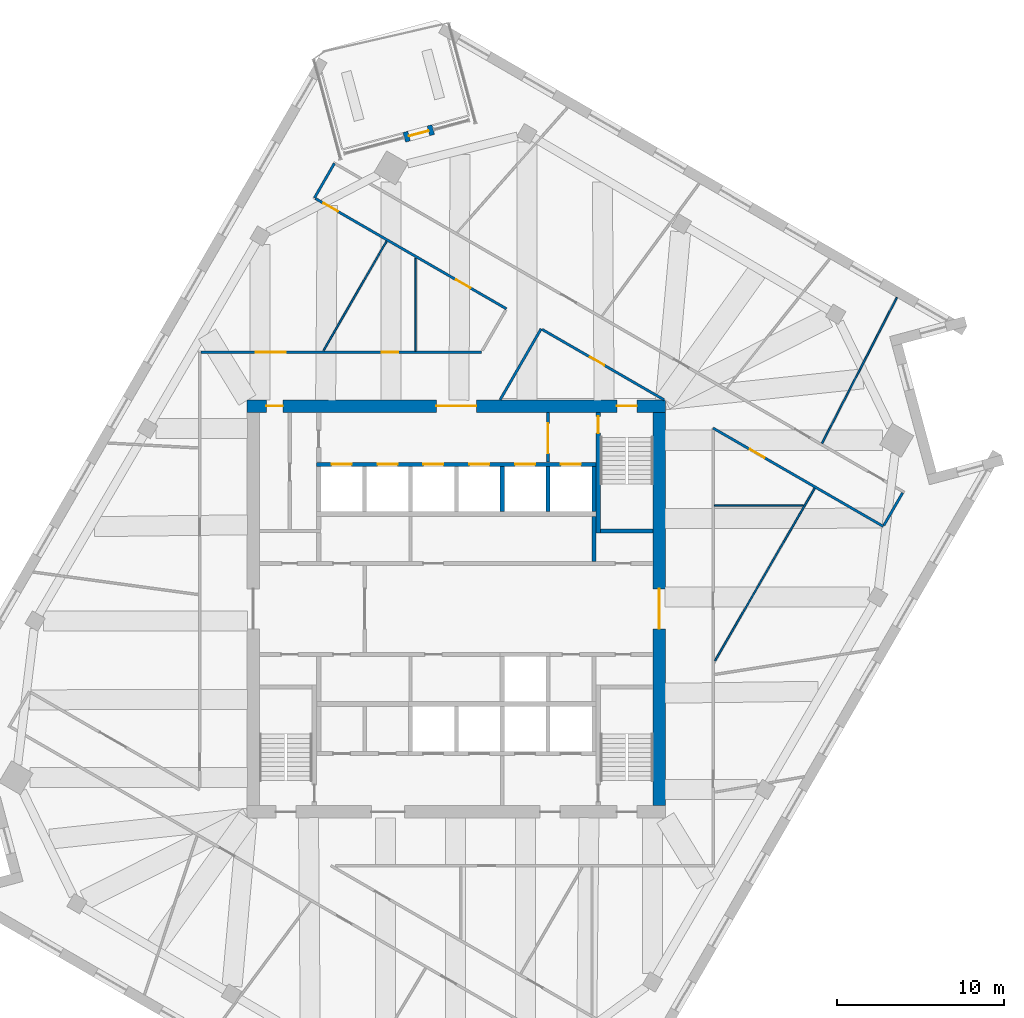
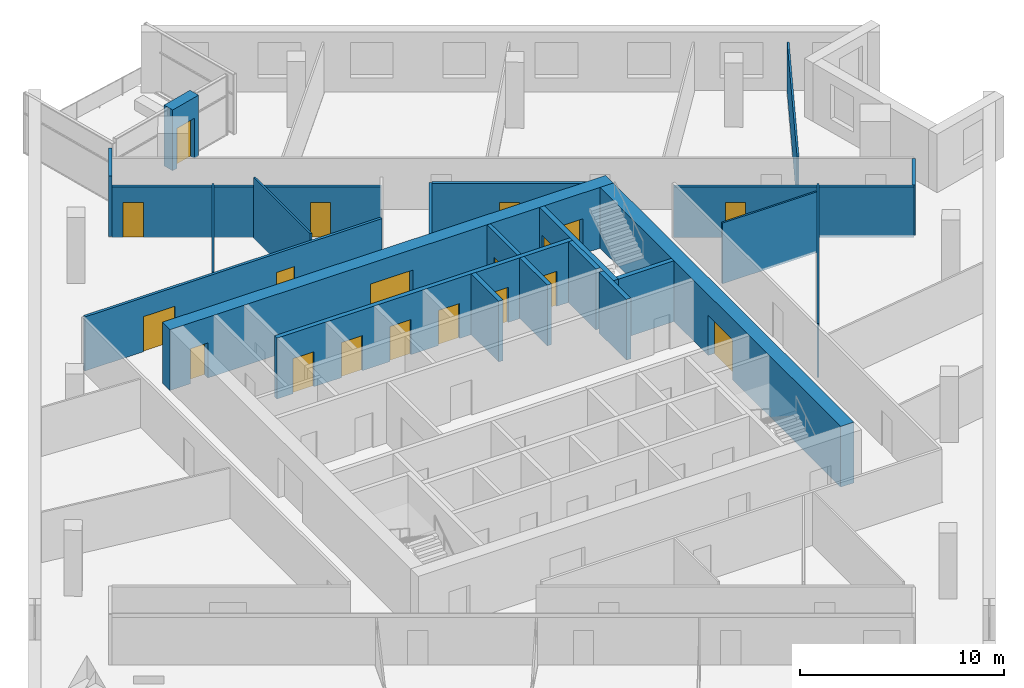
# One storey, part 10 of 13: 23 walls, 19 doors, 19 openings.
"""IFC4 building model written with IfcOpenShell, lengths in metres."""

from ifc_helpers import new_model, si_unit, direction, frame, frame_2d, origin, place, context, subcontext, project, spatial, rectangle, extrude, material, layer, layer_set, type_object, element, fill, save


model = new_model("IFC4")

# Units and contexts
model_context = context("Model", 3, precision=1e-05, world=origin(), true_north=direction((0.0, 1.0)))
body_context = subcontext(model_context, "Body", "Model", "MODEL_VIEW")
ifc_project = project(units=[si_unit("LENGTHUNIT", "METRE"), si_unit("AREAUNIT", "SQUARE_METRE"), si_unit("VOLUMEUNIT", "CUBIC_METRE"), si_unit("PLANEANGLEUNIT", "RADIAN"), si_unit("MASSUNIT", "GRAM", prefix="KILO")], contexts=[model_context])

# Site, building, storey
site_placement = place(None, origin())
site = spatial("IfcSite", under=ifc_project, at=site_placement, CompositionType="ELEMENT")
building_placement = place(site_placement, origin())
building = spatial("IfcBuilding", under=site, at=building_placement, Name="Dilmun Exchange Tower", CompositionType="ELEMENT")
storey_placement = place(building_placement, frame((0.0, 0.0, 266.89990234375)))
storey = spatial("IfcBuildingStorey", under=building, at=storey_placement, Name="L63", CompositionType="ELEMENT", Elevation=266.89990234375)

# Wall, opening, door
ifc_material_1 = material(Name="Concrete C40/50", Category="concrete")
ifc_layer_1 = layer(ifc_material_1, 0.199951171875)
ifc_layer_set_1 = layer_set([ifc_layer_1], Name="Concrete C40/50")
wall_type_1 = type_object("IfcWallType", Name="Core partition wall 200", PredefinedType="PARTITIONING", material=ifc_layer_set_1)
wall_1_placement = place(storey_placement, frame((5.5, 8.804931640625, 0.0), z_axis=(0.0, 0.0, 1.0), x_axis=(0.0, 1.0, 0.0)))
wall_1 = element("IfcWall", 1, at=wall_1_placement, inside=storey, type_object=wall_type_1, Name="L63 core partition wall 20", PredefinedType="PARTITIONING", context=body_context, shape_type="SweptSolid", body=[
    extrude(rectangle(XDim=2.989990234375, YDim=0.199951171875, at=frame_2d((1.4951171875, 0.0))), origin(), (0.0, 0.0, 1.0), 3.64013671875),
])
opening_1_placement = place(wall_1_placement, frame((0.532470703125, 0.0, 0.0)))
opening_1 = element("IfcOpeningElement", 2, at=opening_1_placement, cuts=wall_1, Name="Opening CD5", PredefinedType="OPENING", context=body_context, shape_type="SweptSolid", body=[
    extrude(rectangle(XDim=1.800048828125, YDim=2.10009765625, at=frame_2d((0.89990234375, 1.050048828125))), frame((0.0, 0.10986328125, 0.0), z_axis=(0.0, -1.0, 0.0), x_axis=(1.0, 0.0, 0.0)), (0.0, 0.0, 1.0), 0.219970703125),
])
ifc_material_2 = material(Name="Fire-rated steel door set", Category="steel")
door_type_1 = type_object("IfcDoorType", Name="Stair exit door 1800x2100", OperationType="SINGLE_SWING_LEFT", PredefinedType="DOOR", material=ifc_material_2)
door_1_placement = place(opening_1_placement, origin())
door_1 = element("IfcDoor", 3, at=door_1_placement, inside=storey, type_object=door_type_1, Name="L63 door Lift lobby east", OperationType="SINGLE_SWING_LEFT", OverallHeight=2.10009765625, OverallWidth=1.800048828125, PredefinedType="DOOR", context=body_context, shape_type="SweptSolid", body=[
    extrude(rectangle(XDim=1.800048828125, YDim=2.10009765625, at=frame_2d((0.89990234375, 1.050048828125))), frame((0.0, 0.02490234375, 0.0), z_axis=(0.0, -1.0, 0.0), x_axis=(1.0, 0.0, 0.0)), (0.0, 0.0, 1.0), 0.050048828125),
])
fill(opening_1, door_1)

# Wall
ifc_layer_2 = layer(ifc_material_1, 0.25)
ifc_layer_set_2 = layer_set([ifc_layer_2], Name="Concrete C40/50")
wall_type_2 = type_object("IfcWallType", Name="Core partition wall 250", PredefinedType="PARTITIONING", material=ifc_layer_set_2)
wall_2_placement = place(storey_placement, frame((8.25, 2.85498046875, 0.0), z_axis=(0.0, 0.0, 1.0), x_axis=(0.0, 1.0, 0.0)))
element("IfcWall", 4, at=wall_2_placement, inside=storey, type_object=wall_type_2, Name="L63 core partition wall 15", PredefinedType="PARTITIONING", context=body_context, shape_type="SweptSolid", body=[
    extrude(rectangle(XDim=2.68994140625, YDim=0.25, at=frame_2d((1.344970703125, 0.0))), origin(), (0.0, 0.0, 1.0), 3.64013671875),
])

# Wall, openings, doors
ifc_material_3 = material(Name="Concrete C50/60", Category="concrete")
ifc_layer_3 = layer(ifc_material_3, 0.75)
ifc_layer_set_3 = layer_set([ifc_layer_3], Name="Concrete C50/60")
wall_type_3 = type_object("IfcWallType", Name="Core shear wall 750 Concrete C50/60", PredefinedType="SHEAR", material=ifc_layer_set_3)
wall_3_placement = place(storey_placement, frame((-12.550048828125, 12.175048828125, 0.0), z_axis=(0.0, 0.0, 1.0), x_axis=(1.0, 0.0, 0.0)))
wall_3 = element("IfcWall", 5, at=wall_3_placement, inside=storey, type_object=wall_type_3, Name="L63 core shear wall N", PredefinedType="SHEAR", context=body_context, shape_type="SweptSolid", body=[
    extrude(rectangle(XDim=25.10009765625, YDim=0.75, at=frame_2d((12.550048828125, 0.0))), origin(), (0.0, 0.0, 1.0), 3.64013671875),
])
opening_2_placement = place(wall_3_placement, frame((11.35009765625, 0.0, 0.0)))
opening_2 = element("IfcOpeningElement", 6, at=opening_2_placement, cuts=wall_3, Name="Opening CD1", PredefinedType="OPENING", context=body_context, shape_type="SweptSolid", body=[
    extrude(rectangle(XDim=2.39990234375, YDim=2.39990234375, at=frame_2d((1.199951171875, 1.199951171875))), frame((0.0, 0.385009765625, 0.0), z_axis=(0.0, -1.0, 0.0), x_axis=(1.0, 0.0, 0.0)), (0.0, 0.0, 1.0), 0.77001953125),
])
opening_3_placement = place(wall_3_placement, frame((22.175048828125, 0.0, 0.0)))
opening_3 = element("IfcOpeningElement", 7, at=opening_3_placement, cuts=wall_3, Name="Opening CD3", PredefinedType="OPENING", context=body_context, shape_type="SweptSolid", body=[
    extrude(rectangle(XDim=1.199951171875, YDim=2.10009765625, at=frame_2d((0.60009765625, 1.050048828125))), frame((0.0, 0.385009765625, 0.0), z_axis=(0.0, -1.0, 0.0), x_axis=(1.0, 0.0, 0.0)), (0.0, 0.0, 1.0), 0.77001953125),
])
opening_4_placement = place(wall_3_placement, frame((1.14990234375, 0.0, 0.0)))
opening_4 = element("IfcOpeningElement", 8, at=opening_4_placement, cuts=wall_3, Name="Opening CD4", PredefinedType="OPENING", context=body_context, shape_type="SweptSolid", body=[
    extrude(rectangle(XDim=1.0, YDim=2.10009765625, at=frame_2d((0.5, 1.050048828125))), frame((0.0, 0.385009765625, 0.0), z_axis=(0.0, -1.0, 0.0), x_axis=(1.0, 0.0, 0.0)), (0.0, 0.0, 1.0), 0.77001953125),
])
door_type_2 = type_object("IfcDoorType", Name="Core lobby door 2400x2400", OperationType="DOUBLE_DOOR_DOUBLE_SWING", PredefinedType="DOOR", material=ifc_material_2)
door_2_placement = place(opening_2_placement, origin())
door_2 = element("IfcDoor", 9, at=door_2_placement, inside=storey, type_object=door_type_2, Name="L63 door North lift lobby", OperationType="SINGLE_SWING_LEFT", OverallHeight=2.39990234375, OverallWidth=2.39990234375, PredefinedType="DOOR", context=body_context, shape_type="SweptSolid", body=[
    extrude(rectangle(XDim=2.39990234375, YDim=2.39990234375, at=frame_2d((1.199951171875, 1.199951171875))), frame((0.0, 0.02490234375, 0.0), z_axis=(0.0, -1.0, 0.0), x_axis=(1.0, 0.0, 0.0)), (0.0, 0.0, 1.0), 0.050048828125),
])
fill(opening_2, door_2)
door_type_3 = type_object("IfcDoorType", Name="Core room door 1000x2100", OperationType="SINGLE_SWING_LEFT", PredefinedType="DOOR", material=ifc_material_2)
door_3_placement = place(opening_4_placement, origin())
door_3 = element("IfcDoor", 10, at=door_3_placement, inside=storey, type_object=door_type_3, Name="L63 door North-west core rooms", OperationType="SINGLE_SWING_LEFT", OverallHeight=2.10009765625, OverallWidth=1.0, PredefinedType="DOOR", context=body_context, shape_type="SweptSolid", body=[
    extrude(rectangle(XDim=1.0, YDim=2.10009765625, at=frame_2d((0.5, 1.050048828125))), frame((0.0, 0.02490234375, 0.0), z_axis=(0.0, -1.0, 0.0), x_axis=(1.0, 0.0, 0.0)), (0.0, 0.0, 1.0), 0.050048828125),
])
fill(opening_4, door_3)
door_type_4 = type_object("IfcDoorType", Name="Stair exit door 1200x2100", OperationType="SINGLE_SWING_LEFT", PredefinedType="DOOR", material=ifc_material_2)
door_4_placement = place(opening_3_placement, origin())
door_4 = element("IfcDoor", 11, at=door_4_placement, inside=storey, type_object=door_type_4, Name="L63 door Stair ST1", OperationType="SINGLE_SWING_LEFT", OverallHeight=2.10009765625, OverallWidth=1.199951171875, PredefinedType="DOOR", context=body_context, shape_type="SweptSolid", body=[
    extrude(rectangle(XDim=1.199951171875, YDim=2.10009765625, at=frame_2d((0.60009765625, 1.050048828125))), frame((0.0, 0.02490234375, 0.0), z_axis=(0.0, -1.0, 0.0), x_axis=(1.0, 0.0, 0.0)), (0.0, 0.0, 1.0), 0.050048828125),
])
fill(opening_3, door_4)

# Wall, opening, door
wall_4_placement = place(storey_placement, frame((12.175048828125, -11.800048828125, 0.0), z_axis=(0.0, 0.0, 1.0), x_axis=(0.0, 1.0, 0.0)))
wall_4 = element("IfcWall", 12, at=wall_4_placement, inside=storey, type_object=wall_type_3, Name="L63 core shear wall E", PredefinedType="SHEAR", context=body_context, shape_type="SweptSolid", body=[
    extrude(rectangle(XDim=23.60009765625, YDim=0.75, at=frame_2d((11.800048828125, 0.0))), origin(), (0.0, 0.0, 1.0), 3.64013671875),
])
opening_5_placement = place(wall_4_placement, frame((10.60009765625, 0.0, 0.0)))
opening_5 = element("IfcOpeningElement", 13, at=opening_5_placement, cuts=wall_4, Name="Opening CD1", PredefinedType="OPENING", context=body_context, shape_type="SweptSolid", body=[
    extrude(rectangle(XDim=2.39990234375, YDim=2.39990234375, at=frame_2d((1.199951171875, 1.199951171875))), frame((0.0, 0.385009765625, 0.0), z_axis=(0.0, -1.0, 0.0), x_axis=(1.0, 0.0, 0.0)), (0.0, 0.0, 1.0), 0.77001953125),
])
door_5_placement = place(opening_5_placement, origin())
door_5 = element("IfcDoor", 14, at=door_5_placement, inside=storey, type_object=door_type_2, Name="L63 door Central lift lobby", OperationType="SINGLE_SWING_LEFT", OverallHeight=2.39990234375, OverallWidth=2.39990234375, PredefinedType="DOOR", context=body_context, shape_type="SweptSolid", body=[
    extrude(rectangle(XDim=2.39990234375, YDim=2.39990234375, at=frame_2d((1.199951171875, 1.199951171875))), frame((0.0, 0.02490234375, 0.0), z_axis=(0.0, -1.0, 0.0), x_axis=(1.0, 0.0, 0.0)), (0.0, 0.0, 1.0), 0.050048828125),
])
fill(opening_5, door_5)

# Wall, openings, doors
ifc_material_4 = material(Name="Corridor wall 150")
ifc_layer_4 = layer(ifc_material_4, 0.14990234375)
ifc_layer_set_4 = layer_set([ifc_layer_4], Name="Corridor wall 150")
wall_type_4 = type_object("IfcWallType", Name="Corridor wall 150", PredefinedType="PARTITIONING", material=ifc_layer_set_4)
wall_5_placement = place(storey_placement, frame((-15.324951171875, 15.39990234375, 0.0), z_axis=(0.0, 0.0, 1.0), x_axis=(1.0, 0.0, 0.0)))
wall_5 = element("IfcWall", 15, at=wall_5_placement, inside=storey, type_object=wall_type_4, Name="Corridor wall", PredefinedType="PARTITIONING", context=body_context, shape_type="SweptSolid", body=[
    extrude(rectangle(XDim=16.825927734375, YDim=0.14990234375, at=frame_2d((8.4130859375, 0.0))), origin(), (0.0, 0.0, 1.0), 3.239990234375),
])
opening_6_placement = place(wall_5_placement, frame((3.300048828125, 0.0, 0.0)))
opening_6 = element("IfcOpeningElement", 16, at=opening_6_placement, cuts=wall_5, Name="Opening TF62-D06", PredefinedType="OPENING", context=body_context, shape_type="SweptSolid", body=[
    extrude(rectangle(XDim=1.800048828125, YDim=2.10009765625, at=frame_2d((0.89990234375, 1.050048828125))), frame((0.0, 0.0849609375, 0.0), z_axis=(0.0, -1.0, 0.0), x_axis=(1.0, 0.0, 0.0)), (0.0, 0.0, 1.0), 0.169921875),
])
opening_7_placement = place(wall_5_placement, frame((10.84619140625, 0.0, 0.0)))
opening_7 = element("IfcOpeningElement", 17, at=opening_7_placement, cuts=wall_5, Name="Opening TF62-D08", PredefinedType="OPENING", context=body_context, shape_type="SweptSolid", body=[
    extrude(rectangle(XDim=1.0, YDim=2.10009765625, at=frame_2d((0.5, 1.050048828125))), frame((0.0, 0.0849609375, 0.0), z_axis=(0.0, -1.0, 0.0), x_axis=(1.0, 0.0, 0.0)), (0.0, 0.0, 1.0), 0.169921875),
])
ifc_material_5 = material(Name="Fire door 1000 x 2100")
door_type_5 = type_object("IfcDoorType", Name="Fire door 1000 x 2100", OperationType="NOTDEFINED", PredefinedType="DOOR", material=ifc_material_5)
door_6_placement = place(opening_7_placement, origin())
door_6 = element("IfcDoor", 18, at=door_6_placement, inside=storey, type_object=door_type_5, Name="Door TF62-D08", OperationType="SINGLE_SWING_RIGHT", OverallHeight=2.10009765625, OverallWidth=1.0, PredefinedType="DOOR", context=body_context, shape_type="SweptSolid", body=[
    extrude(rectangle(XDim=1.0, YDim=2.10009765625, at=frame_2d((0.5, 1.050048828125))), frame((0.0, 0.02490234375, 0.0), z_axis=(0.0, -1.0, 0.0), x_axis=(1.0, 0.0, 0.0)), (0.0, 0.0, 1.0), 0.050048828125),
])
fill(opening_7, door_6)
ifc_material_6 = material(Name="Fire door pair 1800 x 2100")
door_type_6 = type_object("IfcDoorType", Name="Fire door pair 1800 x 2100", OperationType="NOTDEFINED", PredefinedType="DOOR", material=ifc_material_6)
door_7_placement = place(opening_6_placement, origin())
door_7 = element("IfcDoor", 19, at=door_7_placement, inside=storey, type_object=door_type_6, Name="Door TF62-D06", OperationType="DOUBLE_DOOR_SINGLE_SWING", OverallHeight=2.10009765625, OverallWidth=1.800048828125, PredefinedType="DOOR", context=body_context, shape_type="SweptSolid", body=[
    extrude(rectangle(XDim=1.800048828125, YDim=2.10009765625, at=frame_2d((0.89990234375, 1.050048828125))), frame((0.0, 0.02490234375, 0.0), z_axis=(0.0, -1.0, 0.0), x_axis=(1.0, 0.0, 0.0)), (0.0, 0.0, 1.0), 0.050048828125),
])
fill(opening_6, door_7)

# Wall
wall_6_placement = place(storey_placement, frame((-8.511962890625, 24.656005859375, 0.0), z_axis=(0.0, 0.0, 1.0), x_axis=(0.499869187296, 0.866100915363, 0.0)))
element("IfcWall", 20, at=wall_6_placement, inside=storey, type_object=wall_type_4, Name="Corridor wall", PredefinedType="PARTITIONING", context=body_context, shape_type="SweptSolid", body=[
    extrude(rectangle(XDim=2.400634765625, YDim=0.14990234375, at=frame_2d((1.2001953125, 0.0))), origin(), (0.0, 0.0, 1.0), 3.64013671875),
])

# Wall, openings, doors
wall_7_placement = place(storey_placement, frame((-8.447021484375, 24.618408203125, 0.0), z_axis=(0.0, 0.0, 1.0), x_axis=(0.866030646256, -0.499990919662, 0.0)))
wall_7 = element("IfcWall", 21, at=wall_7_placement, inside=storey, type_object=wall_type_4, Name="Corridor wall", PredefinedType="PARTITIONING", context=body_context, shape_type="SweptSolid", body=[
    extrude(rectangle(XDim=13.224853515625, YDim=0.14990234375, at=frame_2d((6.6123046875, 0.0))), origin(), (0.0, 0.0, 1.0), 3.0400390625),
])
opening_8_placement = place(wall_7_placement, frame((0.550048828125, 0.0, 0.0)))
opening_8 = element("IfcOpeningElement", 22, at=opening_8_placement, cuts=wall_7, Name="Opening TF62-D07", PredefinedType="OPENING", context=body_context, shape_type="SweptSolid", body=[
    extrude(rectangle(XDim=1.0, YDim=2.10009765625, at=frame_2d((0.5, 1.050048828125))), frame((0.0, 0.0849609375, 0.0), z_axis=(0.0, -1.0, 0.0), x_axis=(1.0, 0.0, 0.0)), (0.0, 0.0, 1.0), 0.169921875),
])
opening_9_placement = place(wall_7_placement, frame((9.734619140625, 0.0, 0.0)))
opening_9 = element("IfcOpeningElement", 23, at=opening_9_placement, cuts=wall_7, Name="Opening TF62-D10", PredefinedType="OPENING", context=body_context, shape_type="SweptSolid", body=[
    extrude(rectangle(XDim=1.0, YDim=2.10009765625, at=frame_2d((0.5, 1.050048828125))), frame((0.0, 0.0849609375, 0.0), z_axis=(0.0, -1.0, 0.0), x_axis=(1.0, 0.0, 0.0)), (0.0, 0.0, 1.0), 0.169921875),
])
door_8_placement = place(opening_8_placement, frame((1.0, 0.0, 0.0), z_axis=(0.0, 0.0, 1.0), x_axis=(-1.0, 0.0, 0.0)))
door_8 = element("IfcDoor", 24, at=door_8_placement, inside=storey, type_object=door_type_5, Name="Door TF62-D07", OperationType="SINGLE_SWING_LEFT", OverallHeight=2.10009765625, OverallWidth=1.0, PredefinedType="DOOR", context=body_context, shape_type="SweptSolid", body=[
    extrude(rectangle(XDim=1.0, YDim=2.10009765625, at=frame_2d((0.5, 1.050048828125))), frame((0.0, 0.02490234375, 0.0), z_axis=(0.0, -1.0, 0.0), x_axis=(1.0, 0.0, 0.0)), (0.0, 0.0, 1.0), 0.050048828125),
])
fill(opening_8, door_8)
door_9_placement = place(opening_9_placement, frame((1.0, 0.0, 0.0), z_axis=(0.0, 0.0, 1.0), x_axis=(-1.0, 0.0, 0.0)))
door_9 = element("IfcDoor", 25, at=door_9_placement, inside=storey, type_object=door_type_5, Name="Door TF62-D10", OperationType="SINGLE_SWING_LEFT", OverallHeight=2.10009765625, OverallWidth=1.0, PredefinedType="DOOR", context=body_context, shape_type="SweptSolid", body=[
    extrude(rectangle(XDim=1.0, YDim=2.10009765625, at=frame_2d((0.5, 1.050048828125))), frame((0.0, 0.02490234375, 0.0), z_axis=(0.0, -1.0, 0.0), x_axis=(1.0, 0.0, 0.0)), (0.0, 0.0, 1.0), 0.050048828125),
])
fill(opening_9, door_9)

# Wall
wall_8_placement = place(storey_placement, frame((2.626953125, 12.550048828125, 0.0), z_axis=(0.0, 0.0, 1.0), x_axis=(0.50013524008, 0.865947308807, 0.0)))
element("IfcWall", 26, at=wall_8_placement, inside=storey, type_object=wall_type_4, Name="Corridor wall", PredefinedType="PARTITIONING", context=body_context, shape_type="SweptSolid", body=[
    extrude(rectangle(XDim=4.914794921875, YDim=0.14990234375, at=frame_2d((2.45751953125, 0.0))), origin(), (0.0, 0.0, 1.0), 3.239990234375),
])

# Wall, opening, door
wall_9_placement = place(storey_placement, frame((5.14990234375, 16.7685546875, 0.0), z_axis=(0.0, 0.0, 1.0), x_axis=(0.866010168016, -0.500026388196, 0.0)))
wall_9 = element("IfcWall", 27, at=wall_9_placement, inside=storey, type_object=wall_type_4, Name="Corridor wall", PredefinedType="PARTITIONING", context=body_context, shape_type="SweptSolid", body=[
    extrude(rectangle(XDim=8.4365234375, YDim=0.14990234375, at=frame_2d((4.21826171875, 0.0))), origin(), (0.0, 0.0, 1.0), 3.239990234375),
])
opening_10_placement = place(wall_9_placement, frame((3.300048828125, 0.0, 0.0)))
opening_10 = element("IfcOpeningElement", 28, at=opening_10_placement, cuts=wall_9, Name="Opening TF62-D13", PredefinedType="OPENING", context=body_context, shape_type="SweptSolid", body=[
    extrude(rectangle(XDim=1.0, YDim=2.10009765625, at=frame_2d((0.5, 1.050048828125))), frame((0.0, 0.0849609375, 0.0), z_axis=(0.0, -1.0, 0.0), x_axis=(1.0, 0.0, 0.0)), (0.0, 0.0, 1.0), 0.169921875),
])
door_10_placement = place(opening_10_placement, frame((1.0, 0.0, 0.0), z_axis=(0.0, 0.0, 1.0), x_axis=(-1.0, 0.0, 0.0)))
door_10 = element("IfcDoor", 29, at=door_10_placement, inside=storey, type_object=door_type_5, Name="Door TF62-D13", OperationType="SINGLE_SWING_RIGHT", OverallHeight=2.10009765625, OverallWidth=1.0, PredefinedType="DOOR", context=body_context, shape_type="SweptSolid", body=[
    extrude(rectangle(XDim=1.0, YDim=2.10009765625, at=frame_2d((0.5, 1.050048828125))), frame((0.0, 0.02490234375, 0.0), z_axis=(0.0, -1.0, 0.0), x_axis=(1.0, 0.0, 0.0)), (0.0, 0.0, 1.0), 0.050048828125),
])
fill(opening_10, door_10)

wall_10_placement = place(storey_placement, frame((15.39990234375, 10.85107421875, 0.0), z_axis=(0.0, 0.0, 1.0), x_axis=(0.865993826089, -0.500054690184, 0.0)))
wall_10 = element("IfcWall", 30, at=wall_10_placement, inside=storey, type_object=wall_type_4, Name="Corridor wall", PredefinedType="PARTITIONING", context=body_context, shape_type="SweptSolid", body=[
    extrude(rectangle(XDim=11.788818359375, YDim=0.14990234375, at=frame_2d((5.89453125, 0.0))), origin(), (0.0, 0.0, 1.0), 3.0400390625),
])
opening_11_placement = place(wall_10_placement, frame((2.55029296875, 0.0, 0.0)))
opening_11 = element("IfcOpeningElement", 31, at=opening_11_placement, cuts=wall_10, Name="Opening TF62-D19", PredefinedType="OPENING", context=body_context, shape_type="SweptSolid", body=[
    extrude(rectangle(XDim=1.0, YDim=2.10009765625, at=frame_2d((0.5, 1.050048828125))), frame((0.0, 0.0849609375, 0.0), z_axis=(0.0, -1.0, 0.0), x_axis=(1.0, 0.0, 0.0)), (0.0, 0.0, 1.0), 0.169921875),
])
door_11_placement = place(opening_11_placement, frame((1.0, 0.0, 0.0), z_axis=(0.0, 0.0, 1.0), x_axis=(-1.0, 0.0, 0.0)))
door_11 = element("IfcDoor", 32, at=door_11_placement, inside=storey, type_object=door_type_5, Name="Door TF62-D19", OperationType="SINGLE_SWING_LEFT", OverallHeight=2.10009765625, OverallWidth=1.0, PredefinedType="DOOR", context=body_context, shape_type="SweptSolid", body=[
    extrude(rectangle(XDim=1.0, YDim=2.10009765625, at=frame_2d((0.5, 1.050048828125))), frame((0.0, 0.02490234375, 0.0), z_axis=(0.0, -1.0, 0.0), x_axis=(1.0, 0.0, 0.0)), (0.0, 0.0, 1.0), 0.050048828125),
])
fill(opening_11, door_11)

# Wall
wall_11_placement = place(storey_placement, frame((25.646484375, 5.02099609375, 0.0), z_axis=(0.0, 0.0, 1.0), x_axis=(0.499919672301, 0.866071776036, 0.0)))
element("IfcWall", 33, at=wall_11_placement, inside=storey, type_object=wall_type_4, Name="Corridor wall", PredefinedType="PARTITIONING", context=body_context, shape_type="SweptSolid", body=[
    extrude(rectangle(XDim=2.250244140625, YDim=0.14990234375, at=frame_2d((1.125, 0.0))), origin(), (0.0, 0.0, 1.0), 3.0400390625),
])

# Wall, openings, doors
ifc_layer_5 = layer(ifc_material_1, 0.25)
ifc_layer_set_5 = layer_set([ifc_layer_5], Name="Concrete C40/50")
wall_type_5 = type_object("IfcWallType", Name="Lift shaft wall 250", PredefinedType="SOLIDWALL", material=ifc_layer_set_5)
wall_12_placement = place(storey_placement, frame((-8.375, 8.675048828125, 0.0), z_axis=(0.0, 0.0, 1.0), x_axis=(1.0, 0.0, 0.0)))
wall_12 = element("IfcWall", 34, at=wall_12_placement, inside=storey, type_object=wall_type_5, Name="L63 lift shaft front wall N2", PredefinedType="SOLIDWALL", context=body_context, shape_type="SweptSolid", body=[
    extrude(rectangle(XDim=16.75, YDim=0.25, at=frame_2d((8.375, 0.0))), origin(), (0.0, 0.0, 1.0), 3.64013671875),
])
opening_12_placement = place(wall_12_placement, frame((0.89990234375, 0.0, 0.0)))
opening_12 = element("IfcOpeningElement", 35, at=opening_12_placement, cuts=wall_12, Name="Opening LD", PredefinedType="OPENING", context=body_context, shape_type="SweptSolid", body=[
    extrude(rectangle(XDim=1.199951171875, YDim=2.10009765625, at=frame_2d((0.60009765625, 1.050048828125))), frame((0.0, 0.135009765625, 0.0), z_axis=(0.0, -1.0, 0.0), x_axis=(1.0, 0.0, 0.0)), (0.0, 0.0, 1.0), 0.27001953125),
])
opening_13_placement = place(wall_12_placement, frame((3.64990234375, 0.0, 0.0)))
opening_13 = element("IfcOpeningElement", 36, at=opening_13_placement, cuts=wall_12, Name="Opening LD", PredefinedType="OPENING", context=body_context, shape_type="SweptSolid", body=[
    extrude(rectangle(XDim=1.199951171875, YDim=2.10009765625, at=frame_2d((0.60009765625, 1.050048828125))), frame((0.0, 0.135009765625, 0.0), z_axis=(0.0, -1.0, 0.0), x_axis=(1.0, 0.0, 0.0)), (0.0, 0.0, 1.0), 0.27001953125),
])
opening_14_placement = place(wall_12_placement, frame((6.39990234375, 0.0, 0.0)))
opening_14 = element("IfcOpeningElement", 37, at=opening_14_placement, cuts=wall_12, Name="Opening LD", PredefinedType="OPENING", context=body_context, shape_type="SweptSolid", body=[
    extrude(rectangle(XDim=1.199951171875, YDim=2.10009765625, at=frame_2d((0.60009765625, 1.050048828125))), frame((0.0, 0.135009765625, 0.0), z_axis=(0.0, -1.0, 0.0), x_axis=(1.0, 0.0, 0.0)), (0.0, 0.0, 1.0), 0.27001953125),
])
opening_15_placement = place(wall_12_placement, frame((9.14990234375, 0.0, 0.0)))
opening_15 = element("IfcOpeningElement", 38, at=opening_15_placement, cuts=wall_12, Name="Opening LD", PredefinedType="OPENING", context=body_context, shape_type="SweptSolid", body=[
    extrude(rectangle(XDim=1.199951171875, YDim=2.10009765625, at=frame_2d((0.60009765625, 1.050048828125))), frame((0.0, 0.135009765625, 0.0), z_axis=(0.0, -1.0, 0.0), x_axis=(1.0, 0.0, 0.0)), (0.0, 0.0, 1.0), 0.27001953125),
])
opening_16_placement = place(wall_12_placement, frame((11.89990234375, 0.0, 0.0)))
opening_16 = element("IfcOpeningElement", 39, at=opening_16_placement, cuts=wall_12, Name="Opening LD", PredefinedType="OPENING", context=body_context, shape_type="SweptSolid", body=[
    extrude(rectangle(XDim=1.199951171875, YDim=2.10009765625, at=frame_2d((0.60009765625, 1.050048828125))), frame((0.0, 0.135009765625, 0.0), z_axis=(0.0, -1.0, 0.0), x_axis=(1.0, 0.0, 0.0)), (0.0, 0.0, 1.0), 0.27001953125),
])
opening_17_placement = place(wall_12_placement, frame((14.64990234375, 0.0, 0.0)))
opening_17 = element("IfcOpeningElement", 40, at=opening_17_placement, cuts=wall_12, Name="Opening LD", PredefinedType="OPENING", context=body_context, shape_type="SweptSolid", body=[
    extrude(rectangle(XDim=1.199951171875, YDim=2.10009765625, at=frame_2d((0.60009765625, 1.050048828125))), frame((0.0, 0.135009765625, 0.0), z_axis=(0.0, -1.0, 0.0), x_axis=(1.0, 0.0, 0.0)), (0.0, 0.0, 1.0), 0.27001953125),
])
door_type_7 = type_object("IfcDoorType", Name="Lift landing door 1200x2100", OperationType="DOUBLE_DOOR_SLIDING", PredefinedType="DOOR", material=ifc_material_2)
door_12_placement = place(opening_12_placement, origin())
door_12 = element("IfcDoor", 41, at=door_12_placement, inside=storey, type_object=door_type_7, Name="L63 landing door HR1", OperationType="DOUBLE_DOOR_SLIDING", OverallHeight=2.10009765625, OverallWidth=1.199951171875, PredefinedType="DOOR", context=body_context, shape_type="SweptSolid", body=[
    extrude(rectangle(XDim=1.199951171875, YDim=2.10009765625, at=frame_2d((0.60009765625, 1.050048828125))), frame((0.0, 0.02490234375, 0.0), z_axis=(0.0, -1.0, 0.0), x_axis=(1.0, 0.0, 0.0)), (0.0, 0.0, 1.0), 0.050048828125),
])
fill(opening_12, door_12)
door_13_placement = place(opening_13_placement, origin())
door_13 = element("IfcDoor", 42, at=door_13_placement, inside=storey, type_object=door_type_7, Name="L63 landing door HR2", OperationType="DOUBLE_DOOR_SLIDING", OverallHeight=2.10009765625, OverallWidth=1.199951171875, PredefinedType="DOOR", context=body_context, shape_type="SweptSolid", body=[
    extrude(rectangle(XDim=1.199951171875, YDim=2.10009765625, at=frame_2d((0.60009765625, 1.050048828125))), frame((0.0, 0.02490234375, 0.0), z_axis=(0.0, -1.0, 0.0), x_axis=(1.0, 0.0, 0.0)), (0.0, 0.0, 1.0), 0.050048828125),
])
fill(opening_13, door_13)
door_14_placement = place(opening_14_placement, origin())
door_14 = element("IfcDoor", 43, at=door_14_placement, inside=storey, type_object=door_type_7, Name="L63 landing door HR3", OperationType="DOUBLE_DOOR_SLIDING", OverallHeight=2.10009765625, OverallWidth=1.199951171875, PredefinedType="DOOR", context=body_context, shape_type="SweptSolid", body=[
    extrude(rectangle(XDim=1.199951171875, YDim=2.10009765625, at=frame_2d((0.60009765625, 1.050048828125))), frame((0.0, 0.02490234375, 0.0), z_axis=(0.0, -1.0, 0.0), x_axis=(1.0, 0.0, 0.0)), (0.0, 0.0, 1.0), 0.050048828125),
])
fill(opening_14, door_14)
door_15_placement = place(opening_15_placement, origin())
door_15 = element("IfcDoor", 44, at=door_15_placement, inside=storey, type_object=door_type_7, Name="L63 landing door HR4", OperationType="DOUBLE_DOOR_SLIDING", OverallHeight=2.10009765625, OverallWidth=1.199951171875, PredefinedType="DOOR", context=body_context, shape_type="SweptSolid", body=[
    extrude(rectangle(XDim=1.199951171875, YDim=2.10009765625, at=frame_2d((0.60009765625, 1.050048828125))), frame((0.0, 0.02490234375, 0.0), z_axis=(0.0, -1.0, 0.0), x_axis=(1.0, 0.0, 0.0)), (0.0, 0.0, 1.0), 0.050048828125),
])
fill(opening_15, door_15)
door_16_placement = place(opening_16_placement, origin())
door_16 = element("IfcDoor", 45, at=door_16_placement, inside=storey, type_object=door_type_7, Name="L63 landing door HR5", OperationType="DOUBLE_DOOR_SLIDING", OverallHeight=2.10009765625, OverallWidth=1.199951171875, PredefinedType="DOOR", context=body_context, shape_type="SweptSolid", body=[
    extrude(rectangle(XDim=1.199951171875, YDim=2.10009765625, at=frame_2d((0.60009765625, 1.050048828125))), frame((0.0, 0.02490234375, 0.0), z_axis=(0.0, -1.0, 0.0), x_axis=(1.0, 0.0, 0.0)), (0.0, 0.0, 1.0), 0.050048828125),
])
fill(opening_16, door_16)
door_17_placement = place(opening_17_placement, origin())
door_17 = element("IfcDoor", 46, at=door_17_placement, inside=storey, type_object=door_type_7, Name="L63 landing door HR6", OperationType="DOUBLE_DOOR_SLIDING", OverallHeight=2.10009765625, OverallWidth=1.199951171875, PredefinedType="DOOR", context=body_context, shape_type="SweptSolid", body=[
    extrude(rectangle(XDim=1.199951171875, YDim=2.10009765625, at=frame_2d((0.60009765625, 1.050048828125))), frame((0.0, 0.02490234375, 0.0), z_axis=(0.0, -1.0, 0.0), x_axis=(1.0, 0.0, 0.0)), (0.0, 0.0, 1.0), 0.050048828125),
])
fill(opening_17, door_17)

# Walls
for number, where, z_axis, x_axis, name in (
    (47, (2.75, 5.85009765625, 0.0), (0.0, 0.0, 1.0), (0.0, 1.0, 0.0), "L63 lift shaft divider N24"),
    (48, (5.5, 5.85009765625, 0.0), (0.0, 0.0, 1.0), (0.0, 1.0, 0.0), "L63 lift shaft divider N25"),
    (49, (8.25, 5.85009765625, 0.0), (0.0, 0.0, 1.0), (0.0, 1.0, 0.0), "L63 lift shaft divider N26"),
):
    element("IfcWall", number, at=place(storey_placement, frame(where, z_axis=z_axis, x_axis=x_axis)), inside=storey, type_object=wall_type_5, Name=name, PredefinedType="SOLIDWALL", context=body_context, shape_type="SweptSolid", body=[
        extrude(rectangle(XDim=2.699951171875, YDim=0.25, at=frame_2d((1.35009765625, 0.0))), origin(), (0.0, 0.0, 1.0), 3.64013671875),
    ])
ifc_material_7 = material(Name="Partition 100")
ifc_layer_6 = layer(ifc_material_7, 0.10009765625)
ifc_layer_set_6 = layer_set([ifc_layer_6], Name="Partition 100")
wall_type_6 = type_object("IfcWallType", Name="Partition 100", PredefinedType="PARTITIONING", material=ifc_layer_set_6)
wall_13_placement = place(storey_placement, frame((-7.97119140625, 15.5, 0.0), z_axis=(0.0, 0.0, 1.0), x_axis=(0.499964887799, 0.866045674874, 0.0)))
element("IfcWall", 50, at=wall_13_placement, inside=storey, type_object=wall_type_6, Name="Partition", PredefinedType="PARTITIONING", context=body_context, shape_type="SweptSolid", body=[
    extrude(rectangle(XDim=7.583984375, YDim=0.10009765625, at=frame_2d((3.7919921875, 0.0))), origin(), (0.0, 0.0, 1.0), 3.239990234375),
])
wall_14_placement = place(storey_placement, frame((-2.44091796875, 15.47509765625, 0.0), z_axis=(0.0, 0.0, 1.0), x_axis=(0.0, 1.0, 0.0)))
element("IfcWall", 51, at=wall_14_placement, inside=storey, type_object=wall_type_6, Name="Partition", PredefinedType="PARTITIONING", context=body_context, shape_type="SweptSolid", body=[
    extrude(rectangle(XDim=5.560302734375, YDim=0.10009765625, at=frame_2d((2.7802734375, 0.0))), origin(), (0.0, 0.0, 1.0), 3.64013671875),
])
wall_15_placement = place(storey_placement, frame((15.47509765625, 6.199951171875, 0.0), z_axis=(0.0, 0.0, 1.0), x_axis=(1.0, 0.0, 0.0)))
element("IfcWall", 52, at=wall_15_placement, inside=storey, type_object=wall_type_6, Name="Partition", PredefinedType="PARTITIONING", context=body_context, shape_type="SweptSolid", body=[
    extrude(rectangle(XDim=5.330322265625, YDim=0.10009765625, at=frame_2d((2.6650390625, 0.0))), origin(), (0.0, 0.0, 1.0), 3.64013671875),
])
wall_16_placement = place(storey_placement, frame((15.518310546875, -3.108154296875, 0.0), z_axis=(0.0, 0.0, 1.0), x_axis=(0.499989387739, 0.866031530689, 0.0)))
element("IfcWall", 53, at=wall_16_placement, inside=storey, type_object=wall_type_6, Name="Partition", PredefinedType="PARTITIONING", context=body_context, shape_type="SweptSolid", body=[
    extrude(rectangle(XDim=11.954833984375, YDim=0.10009765625, at=frame_2d((5.9775390625, 0.0))), origin(), (0.0, 0.0, 1.0), 3.239990234375),
])
wall_17_placement = place(storey_placement, frame((21.936279296875, 9.93798828125, 0.0), z_axis=(0.0, 0.0, 1.0), x_axis=(0.456562052213, 0.889691571545, 0.0)))
element("IfcWall", 54, at=wall_17_placement, inside=storey, type_object=wall_type_6, Name="Partition", PredefinedType="PARTITIONING", context=body_context, shape_type="SweptSolid", body=[
    extrude(rectangle(XDim=9.83544921875, YDim=0.10009765625, at=frame_2d((4.917724609375, 0.0))), origin(), (0.0, 0.0, 1.0), 3.0400390625),
])

# Wall, opening, door
ifc_material_8 = material(Name="Precast concrete C50/60", Category="concrete")
ifc_layer_7 = layer(ifc_material_8, 0.60009765625)
ifc_layer_set_7 = layer_set([ifc_layer_7], Name="Precast concrete C50/60")
wall_type_7 = type_object("IfcWallType", Name="Precast stone-clad wall 600", PredefinedType="STANDARD", material=ifc_layer_set_7)
wall_18_placement = place(storey_placement, frame((-1.385498046875, 28.75732421875, 0.0), z_axis=(0.0, 0.0, 1.0), x_axis=(-0.965928071154, -0.258810667008, 0.0)))
wall_18 = element("IfcWall", 55, at=wall_18_placement, inside=storey, type_object=wall_type_7, Name="Facade wall L63-01-D", PredefinedType="STANDARD", context=body_context, shape_type="SweptSolid", body=[
    extrude(rectangle(XDim=1.7998046875, YDim=0.60009765625, at=frame_2d((0.89990234375, 0.0))), origin(), (0.0, 0.0, 1.0), 3.64013671875),
])
opening_18_placement = place(wall_18_placement, frame((0.300048828125, 0.0, 0.0)))
opening_18 = element("IfcOpeningElement", 56, at=opening_18_placement, cuts=wall_18, Name="Opening GD-1", PredefinedType="OPENING", context=body_context, shape_type="SweptSolid", body=[
    extrude(rectangle(XDim=1.199951171875, YDim=2.39990234375, at=frame_2d((0.60009765625, 1.199951171875))), frame((0.0, 0.31005859375, 0.0), z_axis=(0.0, -1.0, 0.0), x_axis=(1.0, 0.0, 0.0)), (0.0, 0.0, 1.0), 0.6201171875),
])
ifc_material_9 = material(Name="Clear low-emissivity glass in aluminium frame", Category="aluminium")
door_type_8 = type_object("IfcDoorType", Name="Glazed garden door 1200 x 2400", OperationType="SINGLE_SWING_LEFT", PredefinedType="DOOR", material=ifc_material_9)
door_18_placement = place(opening_18_placement, origin())
door_18 = element("IfcDoor", 57, at=door_18_placement, inside=storey, type_object=door_type_8, Name="Garden terrace door", OperationType="SINGLE_SWING_LEFT", OverallHeight=2.39990234375, OverallWidth=1.199951171875, PredefinedType="DOOR", context=body_context, shape_type="SweptSolid", body=[
    extrude(rectangle(XDim=1.199951171875, YDim=2.39990234375, at=frame_2d((0.60009765625, 1.199951171875))), frame((0.0, 0.02490234375, 0.0), z_axis=(0.0, -1.0, 0.0), x_axis=(1.0, 0.0, 0.0)), (0.0, 0.0, 1.0), 0.050048828125),
])
fill(opening_18, door_18)

# Wall
ifc_layer_8 = layer(ifc_material_1, 0.25)
ifc_layer_set_8 = layer_set([ifc_layer_8], Name="Concrete C40/50")
wall_type_8 = type_object("IfcWallType", Name="Stair end wall 250", PredefinedType="SOLIDWALL", material=ifc_layer_set_8)
wall_19_placement = place(storey_placement, frame((8.64990234375, 4.675048828125, 0.0), z_axis=(0.0, 0.0, 1.0), x_axis=(1.0, 0.0, 0.0)))
element("IfcWall", 58, at=wall_19_placement, inside=storey, type_object=wall_type_8, Name="L63 ST1 far wall", PredefinedType="SOLIDWALL", context=body_context, shape_type="SweptSolid", body=[
    extrude(rectangle(XDim=3.150146484375, YDim=0.25, at=frame_2d((1.5751953125, 0.0))), origin(), (0.0, 0.0, 1.0), 3.64013671875),
])

# Wall, opening, door
ifc_layer_9 = layer(ifc_material_1, 0.27490234375)
ifc_layer_set_9 = layer_set([ifc_layer_9], Name="Concrete C40/50")
wall_type_9 = type_object("IfcWallType", Name="Stair wall 275", PredefinedType="SOLIDWALL", material=ifc_layer_set_9)
wall_20_placement = place(storey_placement, frame((8.512451171875, 4.550048828125, 0.0), z_axis=(0.0, 0.0, 1.0), x_axis=(0.0, 1.0, 0.0)))
wall_20 = element("IfcWall", 59, at=wall_20_placement, inside=storey, type_object=wall_type_9, Name="L63 ST1 wall to lift block", PredefinedType="SOLIDWALL", context=body_context, shape_type="SweptSolid", body=[
    extrude(rectangle(XDim=7.25, YDim=0.27490234375, at=frame_2d((3.625, 0.0))), origin(), (0.0, 0.0, 1.0), 3.64013671875),
])
opening_19_placement = place(wall_20_placement, frame((6.0, 0.0, 0.0)))
opening_19 = element("IfcOpeningElement", 60, at=opening_19_placement, cuts=wall_20, Name="Opening CD4", PredefinedType="OPENING", context=body_context, shape_type="SweptSolid", body=[
    extrude(rectangle(XDim=1.0, YDim=2.10009765625, at=frame_2d((0.5, 1.050048828125))), frame((0.0, 0.1474609375, 0.0), z_axis=(0.0, -1.0, 0.0), x_axis=(1.0, 0.0, 0.0)), (0.0, 0.0, 1.0), 0.294921875),
])
door_19_placement = place(opening_19_placement, origin())
door_19 = element("IfcDoor", 61, at=door_19_placement, inside=storey, type_object=door_type_3, Name="L63 door ST1 from lobby", OperationType="SINGLE_SWING_LEFT", OverallHeight=2.10009765625, OverallWidth=1.0, PredefinedType="DOOR", context=body_context, shape_type="SweptSolid", body=[
    extrude(rectangle(XDim=1.0, YDim=2.10009765625, at=frame_2d((0.5, 1.050048828125))), frame((0.0, 0.02490234375, 0.0), z_axis=(0.0, -1.0, 0.0), x_axis=(1.0, 0.0, 0.0)), (0.0, 0.0, 1.0), 0.050048828125),
])
fill(opening_19, door_19)

save(model, "model.ifc")
